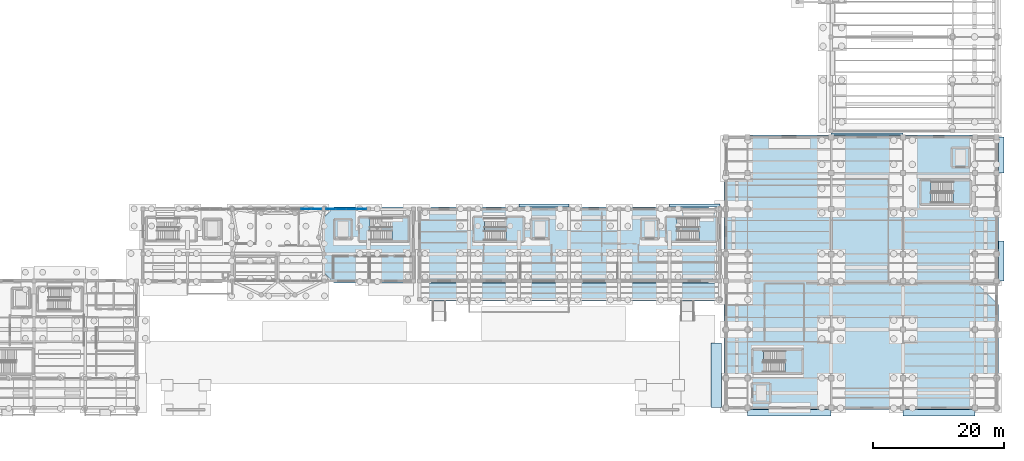
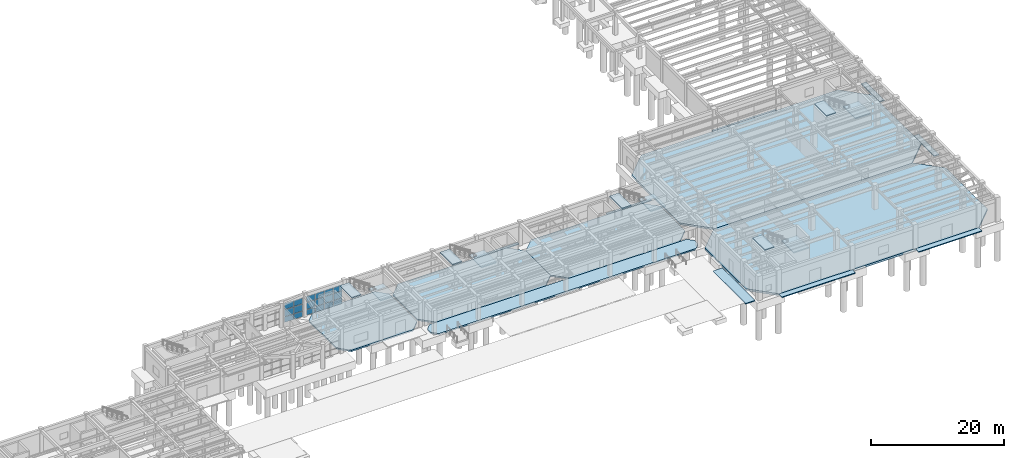
# One storey, part 19 of 41: 24 slabs, 18 plates, 7 elements without a shape of their own.
"""IFC4 building model written with IfcOpenShell, lengths in metres."""

from ifc_helpers import new_model, si_unit, direction, frame, origin, origin_2d, place, context, subcontext, project, spatial, polyline, rectangle, outline, extrude, material, layer, layer_set, type_object, element, aggregate, save


model = new_model("IFC4")

# Units and contexts
model_context = context("Model", 3, precision=1e-05, world=origin(), true_north=direction((0.0, 1.0)))
body_context = subcontext(model_context, "Body", "Model", "MODEL_VIEW")
ifc_project = project(units=[si_unit("LENGTHUNIT", "METRE"), si_unit("AREAUNIT", "SQUARE_METRE"), si_unit("VOLUMEUNIT", "CUBIC_METRE"), si_unit("PLANEANGLEUNIT", "RADIAN"), si_unit("MASSUNIT", "GRAM", prefix="KILO")], contexts=[model_context])

# Site, building, storey
site_placement = place(None, origin())
site = spatial("IfcSite", under=ifc_project, at=site_placement, CompositionType="ELEMENT")
building_placement = place(site_placement, origin())
building = spatial("IfcBuilding", under=site, at=building_placement, Name="Candilejo Ridge Gondola Terminal", CompositionType="ELEMENT")
storey_placement = place(building_placement, origin())
storey = spatial("IfcBuildingStorey", under=building, at=storey_placement, Name="L00", CompositionType="ELEMENT", Elevation=0.0)

# Curtain wall, plates
ifc_material_1 = material(Name="Anodised aluminium AA 6063-T6", Category="aluminium")
ifc_layer_1 = layer(ifc_material_1, 0.169921875)
ifc_layer_set_1 = layer_set([ifc_layer_1], Name="ARC-CW-DRUM-3400-640X359")
curtain_wall_type_1 = type_object("IfcCurtainWallType", Name="ARC-CW-DRUM-3400-640X359", PredefinedType="NOTDEFINED", material=ifc_layer_set_1)
curtain_wall_1_placement = place(storey_placement, origin())
curtain_wall_1 = element("IfcCurtainWall", 1, at=curtain_wall_1_placement, inside=storey, type_object=curtain_wall_type_1, Name="Curtain wall V2 L00-031", PredefinedType="NOTDEFINED")
ifc_material_2 = material(Name="Low-E laminated double glazing 6+12A+6+1.52PVB+6 mm", Category="glass")
ifc_layer_2 = layer(ifc_material_2, 0.028076171875)
ifc_layer_set_2 = layer_set([ifc_layer_2], Name="ARC-CW-GLAZ-PANEL")
plate_type = type_object("IfcPlateType", Name="ARC-CW-GLAZ-PANEL", PredefinedType="CURTAIN_PANEL", material=ifc_layer_set_2)
plate_1_placement = place(storey_placement, frame((69.64990234375, 36.699951171875, 0.06005859375), z_axis=(0.0, 0.0, 1.0), x_axis=(1.0, 0.0, 0.0)))
plate_1 = element("IfcPlate", 2, at=plate_1_placement, type_object=plate_type, Name="CW-64X35 panel 3.1", PredefinedType="CURTAIN_PANEL", context=body_context, shape_type="SweptSolid", body=[
    extrude(rectangle(XDim=1.534912109375, YDim=0.028076171875, at=origin_2d()), origin(), (0.0, 0.0, 1.0), 1.010009765625),
])
plate_2_placement = place(storey_placement, frame((69.64990234375, 36.699951171875, 1.1298828125), z_axis=(0.0, 0.0, 1.0), x_axis=(1.0, 0.0, 0.0)))
plate_2 = element("IfcPlate", 3, at=plate_2_placement, type_object=plate_type, Name="CW-64X35 panel 3.2", PredefinedType="CURTAIN_PANEL", context=body_context, shape_type="SweptSolid", body=[
    extrude(rectangle(XDim=1.534912109375, YDim=0.028076171875, at=origin_2d()), origin(), (0.0, 0.0, 1.0), 1.239990234375),
])
plate_3_placement = place(storey_placement, frame((69.64990234375, 36.699951171875, 2.429931640625), z_axis=(0.0, 0.0, 1.0), x_axis=(1.0, 0.0, 0.0)))
plate_3 = element("IfcPlate", 4, at=plate_3_placement, type_object=plate_type, Name="CW-64X35 panel 3.3", PredefinedType="CURTAIN_PANEL", context=body_context, shape_type="SweptSolid", body=[
    extrude(rectangle(XDim=1.534912109375, YDim=0.028076171875, at=origin_2d()), origin(), (0.0, 0.0, 1.0), 1.10009765625),
])
plate_4_placement = place(storey_placement, frame((71.233642578125, 36.699951171875, 0.06005859375), z_axis=(0.0, 0.0, 1.0), x_axis=(1.0, 0.0, 0.0)))
plate_4 = element("IfcPlate", 5, at=plate_4_placement, type_object=plate_type, Name="CW-64X35 panel 4.1", PredefinedType="CURTAIN_PANEL", context=body_context, shape_type="SweptSolid", body=[
    extrude(rectangle(XDim=1.50244140625, YDim=0.028076171875, at=origin_2d()), origin(), (0.0, 0.0, 1.0), 1.010009765625),
])
plate_5_placement = place(storey_placement, frame((71.233642578125, 36.699951171875, 1.1298828125), z_axis=(0.0, 0.0, 1.0), x_axis=(1.0, 0.0, 0.0)))
plate_5 = element("IfcPlate", 6, at=plate_5_placement, type_object=plate_type, Name="CW-64X35 panel 4.2", PredefinedType="CURTAIN_PANEL", context=body_context, shape_type="SweptSolid", body=[
    extrude(rectangle(XDim=1.50244140625, YDim=0.028076171875, at=origin_2d()), origin(), (0.0, 0.0, 1.0), 1.239990234375),
])
plate_6_placement = place(storey_placement, frame((71.233642578125, 36.699951171875, 2.429931640625), z_axis=(0.0, 0.0, 1.0), x_axis=(1.0, 0.0, 0.0)))
plate_6 = element("IfcPlate", 7, at=plate_6_placement, type_object=plate_type, Name="CW-64X35 panel 4.3", PredefinedType="CURTAIN_PANEL", context=body_context, shape_type="SweptSolid", body=[
    extrude(rectangle(XDim=1.50244140625, YDim=0.028076171875, at=origin_2d()), origin(), (0.0, 0.0, 1.0), 1.10009765625),
])
aggregate(curtain_wall_1, [plate_1, plate_2, plate_3, plate_4, plate_5, plate_6])

ifc_material_3 = material(Name="Anodised aluminium AA 6063-T6", Category="aluminium")
ifc_layer_3 = layer(ifc_material_3, 0.169921875)
ifc_layer_set_3 = layer_set([ifc_layer_3], Name="ARC-CW-DRUM-3400-625X359")
curtain_wall_type_2 = type_object("IfcCurtainWallType", Name="ARC-CW-DRUM-3400-625X359", PredefinedType="NOTDEFINED", material=ifc_layer_set_3)
curtain_wall_2_placement = place(storey_placement, origin())
curtain_wall_2 = element("IfcCurtainWall", 8, at=curtain_wall_2_placement, inside=storey, type_object=curtain_wall_type_2, Name="Curtain wall V2 L00-033", PredefinedType="NOTDEFINED")
plate_7_placement = place(storey_placement, frame((73.447509765625, 36.699951171875, 0.06005859375), z_axis=(0.0, 0.0, 1.0), x_axis=(1.0, 0.0, 0.0)))
plate_7 = element("IfcPlate", 9, at=plate_7_placement, type_object=plate_type, Name="CW-62X35 panel 1.1", PredefinedType="CURTAIN_PANEL", context=body_context, shape_type="SweptSolid", body=[
    extrude(rectangle(XDim=1.465087890625, YDim=0.028076171875, at=origin_2d()), origin(), (0.0, 0.0, 1.0), 1.010009765625),
])
plate_8_placement = place(storey_placement, frame((73.447509765625, 36.699951171875, 1.1298828125), z_axis=(0.0, 0.0, 1.0), x_axis=(1.0, 0.0, 0.0)))
plate_8 = element("IfcPlate", 10, at=plate_8_placement, type_object=plate_type, Name="CW-62X35 panel 1.2", PredefinedType="CURTAIN_PANEL", context=body_context, shape_type="SweptSolid", body=[
    extrude(rectangle(XDim=1.465087890625, YDim=0.028076171875, at=origin_2d()), origin(), (0.0, 0.0, 1.0), 1.239990234375),
])
plate_9_placement = place(storey_placement, frame((73.447509765625, 36.699951171875, 2.429931640625), z_axis=(0.0, 0.0, 1.0), x_axis=(1.0, 0.0, 0.0)))
plate_9 = element("IfcPlate", 11, at=plate_9_placement, type_object=plate_type, Name="CW-62X35 panel 1.3", PredefinedType="CURTAIN_PANEL", context=body_context, shape_type="SweptSolid", body=[
    extrude(rectangle(XDim=1.465087890625, YDim=0.028076171875, at=origin_2d()), origin(), (0.0, 0.0, 1.0), 1.10009765625),
])
plate_10_placement = place(storey_placement, frame((74.99365234375, 36.699951171875, 0.06005859375), z_axis=(0.0, 0.0, 1.0), x_axis=(1.0, 0.0, 0.0)))
plate_10 = element("IfcPlate", 12, at=plate_10_placement, type_object=plate_type, Name="CW-62X35 panel 2.1", PredefinedType="CURTAIN_PANEL", context=body_context, shape_type="SweptSolid", body=[
    extrude(rectangle(XDim=1.49755859375, YDim=0.028076171875, at=origin_2d()), origin(), (0.0, 0.0, 1.0), 1.010009765625),
])
plate_11_placement = place(storey_placement, frame((74.99365234375, 36.699951171875, 1.1298828125), z_axis=(0.0, 0.0, 1.0), x_axis=(1.0, 0.0, 0.0)))
plate_11 = element("IfcPlate", 13, at=plate_11_placement, type_object=plate_type, Name="CW-62X35 panel 2.2", PredefinedType="CURTAIN_PANEL", context=body_context, shape_type="SweptSolid", body=[
    extrude(rectangle(XDim=1.49755859375, YDim=0.028076171875, at=origin_2d()), origin(), (0.0, 0.0, 1.0), 1.239990234375),
])
plate_12_placement = place(storey_placement, frame((74.99365234375, 36.699951171875, 2.429931640625), z_axis=(0.0, 0.0, 1.0), x_axis=(1.0, 0.0, 0.0)))
plate_12 = element("IfcPlate", 14, at=plate_12_placement, type_object=plate_type, Name="CW-62X35 panel 2.3", PredefinedType="CURTAIN_PANEL", context=body_context, shape_type="SweptSolid", body=[
    extrude(rectangle(XDim=1.49755859375, YDim=0.028076171875, at=origin_2d()), origin(), (0.0, 0.0, 1.0), 1.10009765625),
])
plate_13_placement = place(storey_placement, frame((76.55615234375, 36.699951171875, 0.06005859375), z_axis=(0.0, 0.0, 1.0), x_axis=(1.0, 0.0, 0.0)))
plate_13 = element("IfcPlate", 15, at=plate_13_placement, type_object=plate_type, Name="CW-62X35 panel 3.1", PredefinedType="CURTAIN_PANEL", context=body_context, shape_type="SweptSolid", body=[
    extrude(rectangle(XDim=1.49755859375, YDim=0.028076171875, at=origin_2d()), origin(), (0.0, 0.0, 1.0), 1.010009765625),
])
plate_14_placement = place(storey_placement, frame((76.55615234375, 36.699951171875, 1.1298828125), z_axis=(0.0, 0.0, 1.0), x_axis=(1.0, 0.0, 0.0)))
plate_14 = element("IfcPlate", 16, at=plate_14_placement, type_object=plate_type, Name="CW-62X35 panel 3.2", PredefinedType="CURTAIN_PANEL", context=body_context, shape_type="SweptSolid", body=[
    extrude(rectangle(XDim=1.49755859375, YDim=0.028076171875, at=origin_2d()), origin(), (0.0, 0.0, 1.0), 1.239990234375),
])
plate_15_placement = place(storey_placement, frame((76.55615234375, 36.699951171875, 2.429931640625), z_axis=(0.0, 0.0, 1.0), x_axis=(1.0, 0.0, 0.0)))
plate_15 = element("IfcPlate", 17, at=plate_15_placement, type_object=plate_type, Name="CW-62X35 panel 3.3", PredefinedType="CURTAIN_PANEL", context=body_context, shape_type="SweptSolid", body=[
    extrude(rectangle(XDim=1.49755859375, YDim=0.028076171875, at=origin_2d()), origin(), (0.0, 0.0, 1.0), 1.10009765625),
])
plate_16_placement = place(storey_placement, frame((78.1025390625, 36.699951171875, 0.06005859375), z_axis=(0.0, 0.0, 1.0), x_axis=(1.0, 0.0, 0.0)))
plate_16 = element("IfcPlate", 18, at=plate_16_placement, type_object=plate_type, Name="CW-62X35 panel 4.1", PredefinedType="CURTAIN_PANEL", context=body_context, shape_type="SweptSolid", body=[
    extrude(rectangle(XDim=1.465087890625, YDim=0.028076171875, at=origin_2d()), origin(), (0.0, 0.0, 1.0), 1.010009765625),
])
plate_17_placement = place(storey_placement, frame((78.1025390625, 36.699951171875, 1.1298828125), z_axis=(0.0, 0.0, 1.0), x_axis=(1.0, 0.0, 0.0)))
plate_17 = element("IfcPlate", 19, at=plate_17_placement, type_object=plate_type, Name="CW-62X35 panel 4.2", PredefinedType="CURTAIN_PANEL", context=body_context, shape_type="SweptSolid", body=[
    extrude(rectangle(XDim=1.465087890625, YDim=0.028076171875, at=origin_2d()), origin(), (0.0, 0.0, 1.0), 1.239990234375),
])
plate_18_placement = place(storey_placement, frame((78.1025390625, 36.699951171875, 2.429931640625), z_axis=(0.0, 0.0, 1.0), x_axis=(1.0, 0.0, 0.0)))
plate_18 = element("IfcPlate", 20, at=plate_18_placement, type_object=plate_type, Name="CW-62X35 panel 4.3", PredefinedType="CURTAIN_PANEL", context=body_context, shape_type="SweptSolid", body=[
    extrude(rectangle(XDim=1.465087890625, YDim=0.028076171875, at=origin_2d()), origin(), (0.0, 0.0, 1.0), 1.10009765625),
])
aggregate(curtain_wall_2, [plate_7, plate_8, plate_9, plate_10, plate_11, plate_12, plate_13, plate_14, plate_15, plate_16, plate_17, plate_18])

# Slabs
ifc_material_4 = material(Name="Concrete f'c 28 MPa (C28/35)", Category="concrete")
ifc_layer_4 = layer(ifc_material_4, 0.14990234375)
ifc_layer_set_4 = layer_set([ifc_layer_4], Name="CIV-EXT-PAVING-150")
slab_type_1 = type_object("IfcSlabType", Name="CIV-EXT-PAVING-150", PredefinedType="USERDEFINED", material=ifc_layer_set_4)
slab_1_placement = place(storey_placement, frame((0.0, 0.0, -0.14990234375)))
element("IfcSlab", 21, at=slab_1_placement, inside=storey, type_object=slab_type_1, Name="Exterior threshold paving PAD-V3-N", ObjectType="PAVING", PredefinedType="USERDEFINED", context=body_context, shape_type="SweptSolid", body=[
    extrude(outline(polyline([(102.199951171875, 37.0), (109.85009765625, 37.0), (109.85009765625, 37.449951171875), (102.199951171875, 37.449951171875), (102.199951171875, 37.0)])), origin(), (0.0, 0.0, 1.0), 0.14990234375),
])
slab_2_placement = place(storey_placement, frame((0.0, 0.0, -0.14990234375)))
element("IfcSlab", 22, at=slab_2_placement, inside=storey, type_object=slab_type_1, Name="Exterior threshold paving PAD-V3-NE", ObjectType="PAVING", PredefinedType="USERDEFINED", context=body_context, shape_type="SweptSolid", body=[
    extrude(outline(polyline([(125.25, 37.0), (132.949951171875, 37.0), (132.949951171875, 37.449951171875), (125.25, 37.449951171875), (125.25, 37.0)])), origin(), (0.0, 0.0, 1.0), 0.14990234375),
])
slab_3_placement = place(storey_placement, frame((0.0, 0.0, -0.14990234375)))
element("IfcSlab", 23, at=slab_3_placement, inside=storey, type_object=slab_type_1, Name="Exterior threshold paving PAD-V4-S1", ObjectType="PAVING", PredefinedType="USERDEFINED", context=body_context, shape_type="SweptSolid", body=[
    extrude(outline(polyline([(137.199951171875, 5.050048828125), (150.0, 5.050048828125), (150.0, 6.0), (137.199951171875, 6.0), (137.199951171875, 5.050048828125)])), origin(), (0.0, 0.0, 1.0), 0.14990234375),
])
slab_4_placement = place(storey_placement, frame((0.0, 0.0, -0.14990234375)))
element("IfcSlab", 24, at=slab_4_placement, inside=storey, type_object=slab_type_1, Name="Exterior threshold paving PAD-V4-S2", ObjectType="PAVING", PredefinedType="USERDEFINED", context=body_context, shape_type="SweptSolid", body=[
    extrude(outline(polyline([(161.0, 5.050048828125), (172.0, 5.050048828125), (172.0, 6.0), (161.0, 6.0), (161.0, 5.050048828125)])), origin(), (0.0, 0.0, 1.0), 0.14990234375),
])
slab_5_placement = place(storey_placement, frame((0.0, 0.0, -0.14990234375)))
element("IfcSlab", 25, at=slab_5_placement, inside=storey, type_object=slab_type_1, Name="Exterior threshold paving PAD-V4-W", ObjectType="PAVING", PredefinedType="USERDEFINED", context=body_context, shape_type="SweptSolid", body=[
    extrude(outline(polyline([(131.60009765625, 6.300048828125), (133.239990234375, 6.300048828125), (133.239990234375, 16.199951171875), (131.60009765625, 16.199951171875), (131.60009765625, 6.300048828125)])), origin(), (0.0, 0.0, 1.0), 0.14990234375),
])
slab_6_placement = place(storey_placement, frame((0.0, 0.0, -0.14990234375)))
element("IfcSlab", 26, at=slab_6_placement, inside=storey, type_object=slab_type_1, Name="Exterior threshold paving PAD-V4-E", ObjectType="PAVING", PredefinedType="USERDEFINED", context=body_context, shape_type="SweptSolid", body=[
    extrude(outline(polyline([(175.60009765625, 25.699951171875), (176.449951171875, 25.699951171875), (176.449951171875, 31.85009765625), (175.60009765625, 31.85009765625), (175.60009765625, 25.699951171875)])), origin(), (0.0, 0.0, 1.0), 0.14990234375),
])
slab_7_placement = place(storey_placement, frame((0.0, 0.0, -0.14990234375)))
element("IfcSlab", 27, at=slab_7_placement, inside=storey, type_object=slab_type_1, Name="Exterior threshold paving PAD-V4-NE", ObjectType="PAVING", PredefinedType="USERDEFINED", context=body_context, shape_type="SweptSolid", body=[
    extrude(outline(polyline([(175.60009765625, 42.199951171875), (176.449951171875, 42.199951171875), (176.449951171875, 47.699951171875), (175.60009765625, 47.699951171875), (175.60009765625, 42.199951171875)])), origin(), (0.0, 0.0, 1.0), 0.14990234375),
])
slab_8_placement = place(storey_placement, frame((0.0, 0.0, -0.14990234375)))
element("IfcSlab", 28, at=slab_8_placement, inside=storey, type_object=slab_type_1, Name="Exterior threshold paving PAD-V4-N", ObjectType="PAVING", PredefinedType="USERDEFINED", context=body_context, shape_type="SweptSolid", body=[
    extrude(outline(polyline([(150.0, 48.010009765625), (161.0, 48.010009765625), (161.0, 48.340087890625), (150.0, 48.340087890625), (150.0, 48.010009765625)])), origin(), (0.0, 0.0, 1.0), 0.14990234375),
])
ifc_material_5 = material(Name="Concrete f'c 28 MPa (C28/35)", Category="concrete")
ifc_layer_5 = layer(ifc_material_5, 0.260009765625)
ifc_layer_set_5 = layer_set([ifc_layer_5], Name="STR-ARCADE-SLAB-260")
slab_type_2 = type_object("IfcSlabType", Name="STR-ARCADE-SLAB-260", PredefinedType="BASESLAB", material=ifc_layer_set_5)
slab_9_placement = place(storey_placement, frame((0.0, 0.0, -0.260009765625)))
element("IfcSlab", 29, at=slab_9_placement, inside=storey, type_object=slab_type_2, Name="Slab SLB-V3-L00-WALK", PredefinedType="BASESLAB", context=body_context, shape_type="SweptSolid", body=[
    extrude(outline(polyline([(87.595947265625, 22.60009765625), (132.35400390625, 22.60009765625), (133.25, 23.49609375), (133.25, 24.50390625), (132.35400390625, 25.39990234375), (87.595947265625, 25.39990234375), (86.699951171875, 24.50390625), (86.699951171875, 23.49609375), (87.595947265625, 22.60009765625)])), origin(), (0.0, 0.0, 1.0), 0.260009765625),
])
ifc_material_6 = material(Name="Concrete f'c 28 MPa (C28/35)", Category="concrete")
ifc_layer_6 = layer(ifc_material_6, 0.27001953125)
ifc_layer_set_6 = layer_set([ifc_layer_6], Name="STR-BASE-SLAB-270")
slab_type_3 = type_object("IfcSlabType", Name="STR-BASE-SLAB-270", PredefinedType="BASESLAB", material=ifc_layer_set_6)
slab_10_placement = place(storey_placement, frame((0.0, 0.0, -0.27001953125)))
element("IfcSlab", 30, at=slab_10_placement, inside=storey, type_object=slab_type_3, Name="Slab SLB-V2-L00-E", PredefinedType="BASESLAB", context=body_context, shape_type="SweptSolid", body=[
    extrude(outline(polyline([(73.9619140625, 25.39990234375), (84.738037109375, 25.39990234375), (86.35009765625, 27.011962890625), (86.35009765625, 35.387939453125), (84.738037109375, 37.0), (73.9619140625, 37.0), (72.35009765625, 35.387939453125), (72.35009765625, 27.011962890625), (73.9619140625, 25.39990234375)])), origin(), (0.0, 0.0, 1.0), 0.27001953125),
])
slab_11_placement = place(storey_placement, frame((0.0, 0.0, -0.27001953125)))
element("IfcSlab", 31, at=slab_11_placement, inside=storey, type_object=slab_type_3, Name="Slab SLB-V3-L00-W", PredefinedType="BASESLAB", context=body_context, shape_type="SweptSolid", body=[
    extrude(outline(polyline([(88.772705078125, 25.39990234375), (107.777099609375, 25.39990234375), (109.85009765625, 27.472900390625), (109.85009765625, 34.92724609375), (107.777099609375, 37.0), (88.772705078125, 37.0), (86.699951171875, 34.92724609375), (86.699951171875, 27.472900390625), (88.772705078125, 25.39990234375)])), origin(), (0.0, 0.0, 1.0), 0.27001953125),
])
slab_12_placement = place(storey_placement, frame((0.0, 0.0, -0.27001953125)))
element("IfcSlab", 32, at=slab_12_placement, inside=storey, type_object=slab_type_3, Name="Slab SLB-V3-L00-E", PredefinedType="BASESLAB", context=body_context, shape_type="SweptSolid", body=[
    extrude(outline(polyline([(111.93408203125, 25.39990234375), (131.166015625, 25.39990234375), (133.25, 27.48388671875), (133.25, 34.916015625), (131.166015625, 37.0), (111.93408203125, 37.0), (109.85009765625, 34.916015625), (109.85009765625, 27.48388671875), (111.93408203125, 25.39990234375)])), origin(), (0.0, 0.0, 1.0), 0.27001953125),
])
ifc_material_7 = material(Name="Concrete f'c 35 MPa (C35/45)", Category="concrete")
ifc_layer_7 = layer(ifc_material_7, 0.320068359375)
ifc_layer_set_7 = layer_set([ifc_layer_7], Name="STR-BASE-SLAB-320")
slab_type_4 = type_object("IfcSlabType", Name="STR-BASE-SLAB-320", PredefinedType="BASESLAB", material=ifc_layer_set_7)
slab_13_placement = place(storey_placement, frame((0.0, 0.0, -0.320068359375)))
element("IfcSlab", 33, at=slab_13_placement, inside=storey, type_object=slab_type_4, Name="Slab SLB-V4-L00-N", PredefinedType="BASESLAB", context=body_context, shape_type="SweptSolid", body=[
    extrude(outline(polyline([(137.47119140625, 25.699951171875), (171.72900390625, 25.699951171875), (175.60009765625, 29.571044921875), (175.60009765625, 44.12890625), (171.72900390625, 48.0), (137.47119140625, 48.0), (133.60009765625, 44.12890625), (133.60009765625, 29.571044921875), (137.47119140625, 25.699951171875)])), origin(), (0.0, 0.0, 1.0), 0.320068359375),
])
ifc_material_8 = material(Name="Concrete f'c 35 MPa (C35/45)", Category="concrete")
ifc_layer_8 = layer(ifc_material_8, 0.360107421875)
ifc_layer_set_8 = layer_set([ifc_layer_8], Name="STR-BASE-SLAB-360")
slab_type_5 = type_object("IfcSlabType", Name="STR-BASE-SLAB-360", PredefinedType="BASESLAB", material=ifc_layer_set_8)
slab_14_placement = place(storey_placement, frame((0.0, 0.0, -0.360107421875)))
element("IfcSlab", 34, at=slab_14_placement, inside=storey, type_object=slab_type_5, Name="Slab SLB-V4-L00-S", PredefinedType="BASESLAB", context=body_context, shape_type="SweptSolid", body=[
    extrude(outline(polyline([(137.238525390625, 6.0), (171.96142578125, 6.0), (175.60009765625, 9.638427734375), (175.60009765625, 22.0615234375), (171.96142578125, 25.699951171875), (137.238525390625, 25.699951171875), (133.60009765625, 22.0615234375), (133.60009765625, 9.638427734375), (137.238525390625, 6.0)])), origin(), (0.0, 0.0, 1.0), 0.360107421875),
])

# Stair, slabs
ifc_material_9 = material(Name="Concrete f'c 35 MPa (C35/45)", Category="concrete")
stair_type_1 = type_object("IfcStairType", Name="STR-STAIR-1450-4500", PredefinedType="HALF_TURN_STAIR", material=ifc_material_9)
stair_1_placement = place(storey_placement, origin())
stair_1 = element("IfcStair", 35, at=stair_1_placement, inside=storey, type_object=stair_type_1, Name="Enclosed fire exit stair ST-V2B-L00", PredefinedType="HALF_TURN_STAIR")
ifc_material_10 = material(Name="Concrete f'c 35 MPa (C35/45)", Category="concrete")
ifc_layer_9 = layer(ifc_material_10, 0.199951171875)
ifc_layer_set_9 = layer_set([ifc_layer_9], Name="STR-STAIR-LANDING-200")
slab_type_6 = type_object("IfcSlabType", Name="STR-STAIR-LANDING-200", PredefinedType="LANDING", material=ifc_layer_set_9)
slab_15_placement = place(storey_placement, frame((0.0, 0.0, 2.050048828125)))
slab_15 = element("IfcSlab", 36, at=slab_15_placement, type_object=slab_type_6, Name="Stair half-landing ST-V2B-LND-01", PredefinedType="LANDING", context=body_context, shape_type="SweptSolid", body=[
    extrude(outline(polyline([(82.77001953125, 31.800048828125), (85.35009765625, 31.800048828125), (85.35009765625, 35.449951171875), (82.77001953125, 35.449951171875), (82.77001953125, 31.800048828125)])), origin(), (0.0, 0.0, 1.0), 0.199951171875),
])
slab_16_placement = place(storey_placement, frame((0.0, 0.0, 4.300048828125)))
slab_16 = element("IfcSlab", 37, at=slab_16_placement, type_object=slab_type_6, Name="Stair floor landing ST-V2B-L00-ARR-L01", PredefinedType="LANDING", context=body_context, shape_type="SweptSolid", body=[
    extrude(outline(polyline([(77.75, 31.800048828125), (79.409912109375, 31.800048828125), (79.409912109375, 35.449951171875), (77.75, 35.449951171875), (77.75, 31.800048828125)])), origin(), (0.0, 0.0, 1.0), 0.199951171875),
])
aggregate(stair_1, [slab_15, slab_16])

stair_2_placement = place(storey_placement, origin())
stair_2 = element("IfcStair", 38, at=stair_2_placement, inside=storey, type_object=stair_type_1, Name="Enclosed fire exit stair ST-V3A-L00", PredefinedType="HALF_TURN_STAIR")
slab_17_placement = place(storey_placement, frame((0.0, 0.0, 2.050048828125)))
slab_17 = element("IfcSlab", 39, at=slab_17_placement, type_object=slab_type_6, Name="Stair half-landing ST-V3A-LND-01", PredefinedType="LANDING", context=body_context, shape_type="SweptSolid", body=[
    extrude(outline(polyline([(100.27001953125, 31.75), (102.949951171875, 31.75), (102.949951171875, 35.5), (100.27001953125, 35.5), (100.27001953125, 31.75)])), origin(), (0.0, 0.0, 1.0), 0.199951171875),
])
slab_18_placement = place(storey_placement, frame((0.0, 0.0, 4.300048828125)))
slab_18 = element("IfcSlab", 40, at=slab_18_placement, type_object=slab_type_6, Name="Stair floor landing ST-V3A-L00-ARR-L01", PredefinedType="LANDING", context=body_context, shape_type="SweptSolid", body=[
    extrude(outline(polyline([(95.25, 31.75), (96.909912109375, 31.75), (96.909912109375, 35.5), (95.25, 35.5), (95.25, 31.75)])), origin(), (0.0, 0.0, 1.0), 0.199951171875),
])
aggregate(stair_2, [slab_17, slab_18])

stair_3_placement = place(storey_placement, origin())
stair_3 = element("IfcStair", 41, at=stair_3_placement, inside=storey, type_object=stair_type_1, Name="Enclosed fire exit stair ST-V3B-L00", PredefinedType="HALF_TURN_STAIR")
slab_19_placement = place(storey_placement, frame((0.0, 0.0, 2.050048828125)))
slab_19 = element("IfcSlab", 42, at=slab_19_placement, type_object=slab_type_6, Name="Stair half-landing ST-V3B-LND-01", PredefinedType="LANDING", context=body_context, shape_type="SweptSolid", body=[
    extrude(outline(polyline([(129.77001953125, 31.75), (132.449951171875, 31.75), (132.449951171875, 35.5), (129.77001953125, 35.5), (129.77001953125, 31.75)])), origin(), (0.0, 0.0, 1.0), 0.199951171875),
])
slab_20_placement = place(storey_placement, frame((0.0, 0.0, 4.300048828125)))
slab_20 = element("IfcSlab", 43, at=slab_20_placement, type_object=slab_type_6, Name="Stair floor landing ST-V3B-L00-ARR-L01", PredefinedType="LANDING", context=body_context, shape_type="SweptSolid", body=[
    extrude(outline(polyline([(124.75, 31.75), (126.409912109375, 31.75), (126.409912109375, 35.5), (124.75, 35.5), (124.75, 31.75)])), origin(), (0.0, 0.0, 1.0), 0.199951171875),
])
aggregate(stair_3, [slab_19, slab_20])

ifc_material_11 = material(Name="Concrete f'c 35 MPa (C35/45)", Category="concrete")
stair_type_2 = type_object("IfcStairType", Name="STR-STAIR-1500-4500", PredefinedType="HALF_TURN_STAIR", material=ifc_material_11)
stair_4_placement = place(storey_placement, origin())
stair_4 = element("IfcStair", 44, at=stair_4_placement, inside=storey, type_object=stair_type_2, Name="Enclosed fire exit stair ST-V4A-L00", PredefinedType="HALF_TURN_STAIR")
slab_21_placement = place(storey_placement, frame((0.0, 0.0, 2.050048828125)))
slab_21 = element("IfcSlab", 45, at=slab_21_placement, type_object=slab_type_6, Name="Stair half-landing ST-V4A-LND-01", PredefinedType="LANDING", context=body_context, shape_type="SweptSolid", body=[
    extrude(outline(polyline([(142.969970703125, 11.550048828125), (145.64990234375, 11.550048828125), (145.64990234375, 15.199951171875), (142.969970703125, 15.199951171875), (142.969970703125, 11.550048828125)])), origin(), (0.0, 0.0, 1.0), 0.199951171875),
])
slab_22_placement = place(storey_placement, frame((0.0, 0.0, 4.300048828125)))
slab_22 = element("IfcSlab", 46, at=slab_22_placement, type_object=slab_type_6, Name="Stair floor landing ST-V4A-L00-ARR-L01", PredefinedType="LANDING", context=body_context, shape_type="SweptSolid", body=[
    extrude(outline(polyline([(137.949951171875, 11.550048828125), (139.610107421875, 11.550048828125), (139.610107421875, 15.199951171875), (137.949951171875, 15.199951171875), (137.949951171875, 11.550048828125)])), origin(), (0.0, 0.0, 1.0), 0.199951171875),
])
aggregate(stair_4, [slab_21, slab_22])

stair_5_placement = place(storey_placement, origin())
stair_5 = element("IfcStair", 47, at=stair_5_placement, inside=storey, type_object=stair_type_2, Name="Enclosed fire exit stair ST-V4B-L00", PredefinedType="HALF_TURN_STAIR")
slab_23_placement = place(storey_placement, frame((0.0, 0.0, 2.050048828125)))
slab_23 = element("IfcSlab", 48, at=slab_23_placement, type_object=slab_type_6, Name="Stair half-landing ST-V4B-LND-01", PredefinedType="LANDING", context=body_context, shape_type="SweptSolid", body=[
    extrude(outline(polyline([(168.669921875, 37.449951171875), (171.35009765625, 37.449951171875), (171.35009765625, 41.10009765625), (168.669921875, 41.10009765625), (168.669921875, 37.449951171875)])), origin(), (0.0, 0.0, 1.0), 0.199951171875),
])
slab_24_placement = place(storey_placement, frame((0.0, 0.0, 4.300048828125)))
slab_24 = element("IfcSlab", 49, at=slab_24_placement, type_object=slab_type_6, Name="Stair floor landing ST-V4B-L00-ARR-L01", PredefinedType="LANDING", context=body_context, shape_type="SweptSolid", body=[
    extrude(outline(polyline([(163.64990234375, 37.449951171875), (165.31005859375, 37.449951171875), (165.31005859375, 41.10009765625), (163.64990234375, 41.10009765625), (163.64990234375, 37.449951171875)])), origin(), (0.0, 0.0, 1.0), 0.199951171875),
])
aggregate(stair_5, [slab_23, slab_24])

save(model, "model.ifc")
